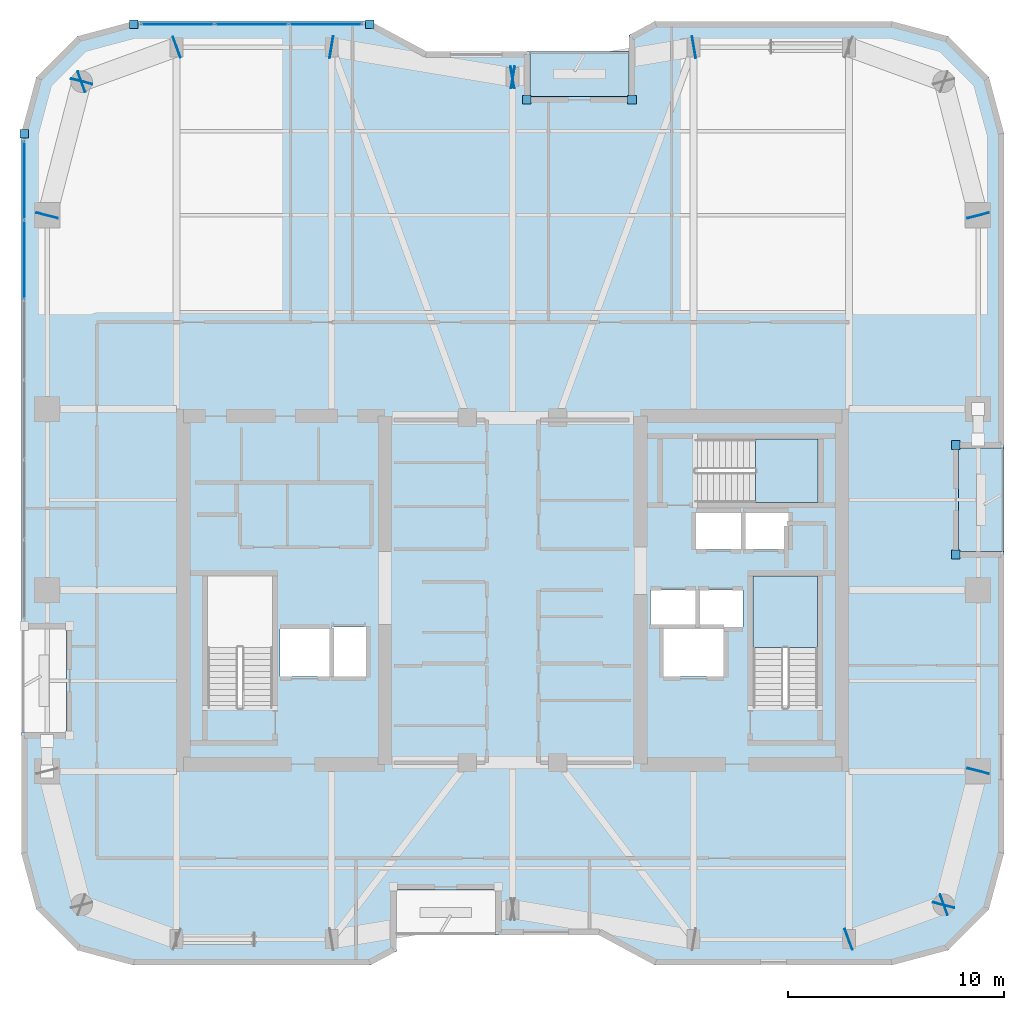
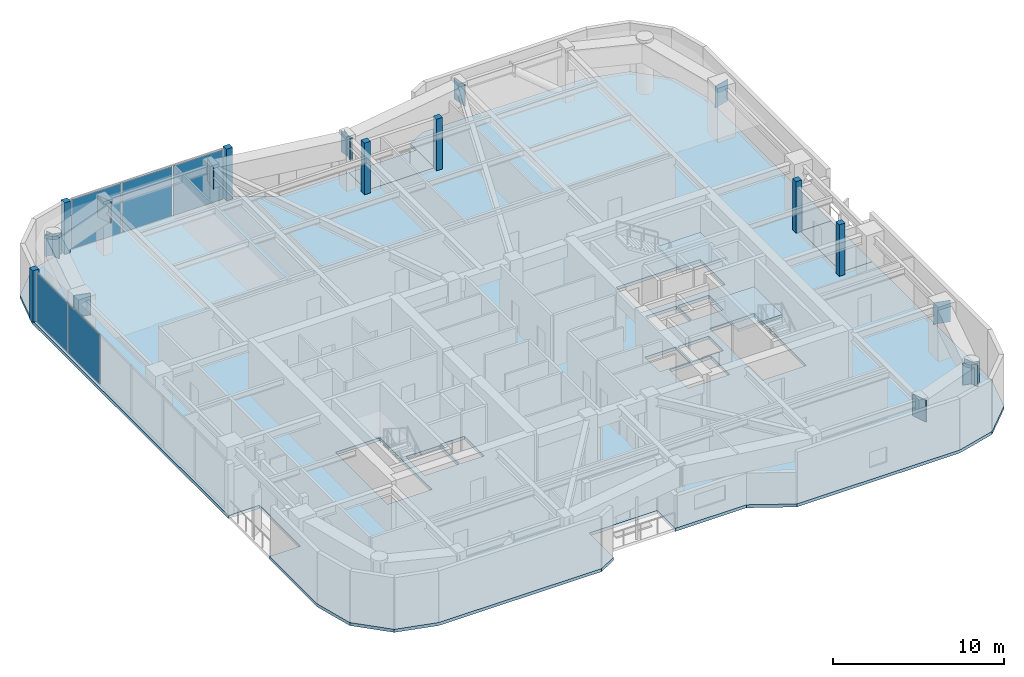
# One storey, part 13 of 21: 25 plates, 5 slabs, 4 elements without a shape of their own.
"""IFC4 building model written with IfcOpenShell, lengths in metres."""

import ifcopenshell
import ifcopenshell.guid

model = None  # the IFC model being written
_history = None  # IfcOwnerHistory: only IFC2X3 demands one
_inside = {}  # id of a spatial element -> (the spatial element, [elements in it])
_under = {}  # id of a project, library or spatial element -> (it, [spatial elements below it])
_declared = {}  # id of a project -> (the project, [libraries it declares])
_typed = {}  # id of a type object -> (the type object, [elements of that type])
_made_of = {}  # id of a material, layer set ... -> (it, [elements and type objects made of it])


def new_model(schema):
    """Start an empty IFC model of exactly this schema.

    Asked for "IFC4X3", IfcOpenShell would pick the latest addendum, in which some entities
    have other attributes; the version numbers below select the first issue.
    IFC2X3 requires an IfcOwnerHistory on every rooted entity: one is made here for all.
    """
    global model, _history
    if schema == "IFC4X3":
        model = ifcopenshell.file(schema_version=(4, 3, 0, 0))
    else:
        model = ifcopenshell.file(schema=schema)
    _inside.clear()
    _under.clear()
    _declared.clear()
    _typed.clear()
    _made_of.clear()
    _history = None
    if model.schema == "IFC2X3":
        org = make("IfcOrganization", Name="unknown")
        user = make(
            "IfcPersonAndOrganization",
            ThePerson=make("IfcPerson", FamilyName="unknown"),
            TheOrganization=org,
        )
        app = make(
            "IfcApplication",
            ApplicationDeveloper=org,
            Version="unknown",
            ApplicationFullName="unknown",
            ApplicationIdentifier="unknown",
        )
        _history = make(
            "IfcOwnerHistory",
            OwningUser=user,
            OwningApplication=app,
            ChangeAction="ADDED",
            CreationDate=0,
        )
    return model


def make(cls, **values):
    """One entity of the class cls with the attributes given. An attribute that is None is left unset."""
    return model.create_entity(
        cls, **{name: value for name, value in values.items() if value is not None}
    )


def rooted(cls, **values):
    """An entity with a GlobalId (a new one), such as an element, a storey or a relation."""
    return make(cls, GlobalId=ifcopenshell.guid.new(), OwnerHistory=_history, **values)


def si_unit(unit_type, name, prefix=None):
    """IfcSIUnit, for example si_unit("LENGTHUNIT", "METRE", prefix="MILLI")."""
    return make("IfcSIUnit", UnitType=unit_type, Prefix=prefix, Name=name)


def assignment(units):
    """IfcUnitAssignment: the units of a project."""
    return None if units is None else make("IfcUnitAssignment", Units=units)


def point(xyz):
    """IfcCartesianPoint."""
    return None if xyz is None else make("IfcCartesianPoint", Coordinates=xyz)


def direction(xyz):
    """IfcDirection."""
    return None if xyz is None else make("IfcDirection", DirectionRatios=xyz)


def frame(location, z_axis=None, x_axis=None):
    """IfcAxis2Placement3D, a coordinate frame: its origin and axes. An axis left out is left unset."""
    return make(
        "IfcAxis2Placement3D",
        Location=point(location),
        Axis=direction(z_axis),
        RefDirection=direction(x_axis),
    )


def frame_2d(location, x_axis=None):
    """IfcAxis2Placement2D, a coordinate frame in the plane: its origin and x axis."""
    return make(
        "IfcAxis2Placement2D", Location=point(location), RefDirection=direction(x_axis)
    )


def origin():
    """The frame at (0, 0, 0) with its axes left unset."""
    return frame((0.0, 0.0, 0.0))


def origin_2d():
    """The frame at (0, 0) in the plane with its x axis left unset."""
    return frame_2d((0.0, 0.0))


def place(relative_to, where):
    """IfcLocalPlacement: puts the frame where relative to a parent placement (None: the world)."""
    return make(
        "IfcLocalPlacement", PlacementRelTo=relative_to, RelativePlacement=where
    )


def context(
    kind, dimensions, precision=None, world=None, true_north=None, identifier=None
):
    """IfcGeometricRepresentationContext, for example the 3D "Model" context."""
    return make(
        "IfcGeometricRepresentationContext",
        ContextIdentifier=identifier,
        ContextType=kind,
        CoordinateSpaceDimension=dimensions,
        Precision=precision,
        WorldCoordinateSystem=world,
        TrueNorth=true_north,
    )


def subcontext(parent, identifier, kind, view, scale=None):
    """IfcGeometricRepresentationSubContext, for example "Body" below "Model"."""
    return make(
        "IfcGeometricRepresentationSubContext",
        ContextIdentifier=identifier,
        ContextType=kind,
        ParentContext=parent,
        TargetScale=scale,
        TargetView=view,
    )


def project(units=None, contexts=None):
    """IfcProject with its units and contexts."""
    return rooted(
        "IfcProject",
        Name="project",
        RepresentationContexts=contexts,
        UnitsInContext=assignment(units),
    )


def spatial(cls, under=None, at=None, **own):
    """A site, building, storey or space (cls), placed at a placement, below another one or the project."""
    s = rooted(cls, ObjectPlacement=at, **own)
    if under is not None:
        _under.setdefault(under.id(), (under, []))[1].append(s)
    return s


def polyline(points):
    """IfcPolyline through the points."""
    return make("IfcPolyline", Points=[point(p) for p in points])


def profile(cls, at=None, kind="AREA", **sizes):
    """A parametric profile (cls). Its sizes go by their IFC names, for example OverallWidth=200.0."""
    return make(cls, ProfileType=kind, Position=at, **sizes)


def rectangle(**sizes):
    """IfcRectangleProfileDef."""
    return profile("IfcRectangleProfileDef", **sizes)


def outline(outer, holes=None, kind="AREA"):
    """IfcArbitraryClosedProfileDef: a profile drawn as a closed curve; with holes, ...WithVoids."""
    if holes is None:
        return make("IfcArbitraryClosedProfileDef", ProfileType=kind, OuterCurve=outer)
    return make(
        "IfcArbitraryProfileDefWithVoids",
        ProfileType=kind,
        OuterCurve=outer,
        InnerCurves=holes,
    )


def extrude(swept, where, along, depth):
    """IfcExtrudedAreaSolid: the profile swept, set in the frame where, extruded along a direction by depth."""
    return make(
        "IfcExtrudedAreaSolid",
        SweptArea=swept,
        Position=where,
        ExtrudedDirection=direction(along),
        Depth=depth,
    )


def shape(context_of_items, identifier, shape_type, items):
    """IfcShapeRepresentation: the items that make up one representation, for example the "Body"."""
    return make(
        "IfcShapeRepresentation",
        ContextOfItems=context_of_items,
        RepresentationIdentifier=identifier,
        RepresentationType=shape_type,
        Items=items,
    )


def material(Name=None, Category=None):
    """IfcMaterial."""
    return make("IfcMaterial", Name=Name, Category=Category)


def layer(
    of_material, thickness, ventilated=None, Name=None, Category=None, Priority=None
):
    """IfcMaterialLayer: one layer of a wall or slab, of a material (None: an air gap)."""
    return make(
        "IfcMaterialLayer",
        Material=of_material,
        LayerThickness=thickness,
        IsVentilated=ventilated,
        Name=Name,
        Category=Category,
        Priority=Priority,
    )


def layer_set(layers, Name=None):
    """IfcMaterialLayerSet."""
    return make("IfcMaterialLayerSet", MaterialLayers=layers, LayerSetName=Name)


def made_of(thing, what):
    """Note that an element or type object is made of a material, layer set ...; save() writes the relation."""
    if what is not None:
        _made_of.setdefault(what.id(), (what, []))[1].append(thing)
    return thing


def type_object(cls, material=None, **own):
    """A type object (cls), such as IfcWallType, which elements share."""
    return made_of(rooted(cls, **own), material)


def element(
    cls,
    number,
    at=None,
    inside=None,
    cuts=None,
    type_object=None,
    material=None,
    context=None,
    identifier="Body",
    shape_type=None,
    held_by="IfcProductDefinitionShape",
    body=None,
    shapes=None,
    **own,
):
    """One element of the class cls, such as IfcWall. Its Tag is "e" and its number.

    at: its placement. inside: the storey or other place that contains it. cuts: it is an
    opening in that element (IfcRelVoidsElement). A single representation is given by context,
    identifier, shape_type and body (its items); several are given by shapes. held_by: the class
    of the entity that holds the representations. save() writes the other relations.
    """
    e = rooted(cls, Tag="e%d" % number, ObjectPlacement=at, **own)
    if body is not None:
        shapes = [shape(context, identifier, shape_type, body)]
    if shapes is not None:
        e.Representation = make(held_by, Representations=shapes)
    if inside is not None:
        _inside.setdefault(inside.id(), (inside, []))[1].append(e)
    if cuts is not None:
        rooted(
            "IfcRelVoidsElement", RelatingBuildingElement=cuts, RelatedOpeningElement=e
        )
    if type_object is not None:
        _typed.setdefault(type_object.id(), (type_object, []))[1].append(e)
    return made_of(e, material)


def aggregate(whole, parts):
    """IfcRelAggregates: a whole, such as a stair, and the parts it consists of."""
    return rooted("IfcRelAggregates", RelatingObject=whole, RelatedObjects=parts)


def save(model, path):
    """Write the relations noted so far, then the file.

    IfcRelAggregates (storeys below a building ...), IfcRelContainedInSpatialStructure (elements
    in a storey), IfcRelDefinesByType, IfcRelAssociatesMaterial and IfcRelDeclares: one each for
    every whole, place, type object, material and project.
    """
    for whole, parts in _under.values():
        aggregate(whole, parts)
    for where, things in _inside.values():
        rooted(
            "IfcRelContainedInSpatialStructure",
            RelatedElements=things,
            RelatingStructure=where,
        )
    for kind, things in _typed.values():
        rooted("IfcRelDefinesByType", RelatedObjects=things, RelatingType=kind)
    for what, things in _made_of.values():
        rooted("IfcRelAssociatesMaterial", RelatedObjects=things, RelatingMaterial=what)
    for by, libraries in _declared.values():
        rooted("IfcRelDeclares", RelatingContext=by, RelatedDefinitions=libraries)
    model.write(path)


model = new_model("IFC4")

# Units and contexts
model_context = context("Model", 3, precision=1e-05, world=origin(), true_north=direction((0.0, 1.0)))
body_context = subcontext(model_context, "Body", "Model", "MODEL_VIEW")
ifc_project = project(units=[si_unit("LENGTHUNIT", "METRE"), si_unit("AREAUNIT", "SQUARE_METRE"), si_unit("VOLUMEUNIT", "CUBIC_METRE"), si_unit("PLANEANGLEUNIT", "RADIAN"), si_unit("MASSUNIT", "GRAM", prefix="KILO")], contexts=[model_context])

# Site, building, storey
site_placement = place(None, origin())
site = spatial("IfcSite", under=ifc_project, at=site_placement, CompositionType="ELEMENT")
building_placement = place(site_placement, origin())
building = spatial("IfcBuilding", under=site, at=building_placement, Name="Kiyonajd Concourse Tower", CompositionType="ELEMENT")
storey_placement = place(building_placement, frame((0.0, 0.0, 227.10009765625)))
storey = spatial("IfcBuildingStorey", under=building, at=storey_placement, Name="L57", CompositionType="ELEMENT", Elevation=227.10009765625)

# Plates
ifc_material_1 = material(Name="Steel ASTM A572 Grade 50", Category="steel")
ifc_layer_1 = layer(ifc_material_1, 0.031982421875)
ifc_layer_set_1 = layer_set([ifc_layer_1], Name="Steel ASTM A572 Grade 50")
plate_type_1 = type_object("IfcPlateType", Name="PL-CAP-540", PredefinedType="USERDEFINED", material=ifc_layer_set_1)
for number, where, z_axis, x_axis, name in (
    (1, (63.589599609375, 19.796142578125, 2.2099609375), (0.0, 0.0, 1.0), (-0.939811951086, -0.341692107891, 0.0), "L57 Welded Box Girder End Cap"),
    (2, (68.01025390625, 21.40380859375, 2.2099609375), (0.0, 0.0, 1.0), (0.939811951086, 0.341692107891, 0.0), "L57 Welded Box Girder End Cap"),
    (3, (67.997314453125, 21.389404296875, 2.2099609375), (0.0, 0.0, 1.0), (-0.249873048837, -0.968278606324, 0.0), "L57 Welded Box Girder End Cap"),
    (4, (69.602783203125, 27.610595703125, 2.2099609375), (0.0, 0.0, 1.0), (0.249873048837, 0.968278606324, 0.0), "L57 Welded Box Girder End Cap"),
    (5, (69.602783203125, 53.389404296875, 2.2099609375), (0.0, 0.0, 1.0), (0.249873048837, -0.968278606324, 0.0), "L57 Welded Box Girder End Cap"),
    (6, (56.410888671875, 61.201904296875, 2.2099609375), (0.0, 0.0, 1.0), (0.986400586142, 0.164359008451, 0.0), "L57 Welded Box Girder End Cap"),
    (7, (47.989013671875, 59.798095703125, 2.2099609375), (0.0, 0.0, 1.0), (-0.986400586142, -0.164359008451, 0.0), "L57 Welded Box Girder End Cap"),
    (8, (48.010986328125, 59.798095703125, 2.2099609375), (0.0, 0.0, 1.0), (0.986400586142, -0.164359008451, 0.0), "L57 Welded Box Girder End Cap"),
    (9, (39.589111328125, 61.201904296875, 2.2099609375), (0.0, 0.0, 1.0), (-0.986400586142, 0.164359008451, 0.0), "L57 Welded Box Girder End Cap"),
    (10, (32.410400390625, 61.203857421875, 2.2099609375), (0.0, 0.0, 1.0), (0.939811951086, 0.341692107891, 0.0), "L57 Welded Box Girder End Cap"),
    (11, (27.98974609375, 59.59619140625, 2.2099609375), (0.0, 0.0, 1.0), (-0.939811951086, -0.341692107891, 0.0), "L57 Welded Box Girder End Cap"),
    (12, (28.002685546875, 59.610595703125, 2.2099609375), (0.0, 0.0, 1.0), (0.249873048837, 0.968278606324, 0.0), "L57 Welded Box Girder End Cap"),
    (13, (26.397216796875, 53.389404296875, 2.2099609375), (0.0, 0.0, 1.0), (-0.249873048837, -0.968278606324, 0.0), "L57 Welded Box Girder End Cap"),
):
    element("IfcPlate", number, at=place(storey_placement, frame(where, z_axis=z_axis, x_axis=x_axis)), inside=storey, type_object=plate_type_1, Name=name, ObjectType="CAP PLATE", PredefinedType="USERDEFINED", context=body_context, shape_type="SweptSolid", body=[
        extrude(rectangle(XDim=0.035888671875, YDim=1.02001953125, at=origin_2d()), origin(), (0.0, 0.0, 1.0), 1.5400390625),
    ])

# Curtain wall, plates
ifc_material_2 = material(Name="Thermally Broken Anodised Aluminium", Category="aluminium")
ifc_layer_2 = layer(ifc_material_2, 0.179931640625)
ifc_layer_set_2 = layer_set([ifc_layer_2], Name="Thermally Broken Anodised Aluminium")
curtain_wall_type = type_object("IfcCurtainWallType", Name="CW-SYS-04", PredefinedType="NOTDEFINED", material=ifc_layer_set_2)
curtain_wall_1_placement = place(storey_placement, origin())
curtain_wall_1 = element("IfcCurtainWall", 14, at=curtain_wall_1_placement, inside=storey, type_object=curtain_wall_type, Name="L57 Unitised Curtain Wall CW4", PredefinedType="NOTDEFINED")
ifc_material_3 = material(Name="Double Low-E Insulated Glass", Category="glass")
ifc_layer_3 = layer(ifc_material_3, 0.033935546875)
ifc_layer_set_3 = layer_set([ifc_layer_3], Name="Double Low-E Insulated Glass")
plate_type_2 = type_object("IfcPlateType", Name="PL-CW-VIS34", PredefinedType="CURTAIN_PANEL", material=ifc_layer_set_3)
plate_1_placement = place(storey_placement, frame((25.340087890625, 51.326171875, 0.06494140625), z_axis=(0.0, 0.0, 1.0), x_axis=(0.0, 1.0, 0.0)))
plate_1 = element("IfcPlate", 15, at=plate_1_placement, type_object=plate_type_2, Name="CW4 panel 5.1", PredefinedType="CURTAIN_PANEL", context=body_context, shape_type="SweptSolid", body=[
    extrude(rectangle(XDim=3.645263671875, YDim=0.033935546875, at=origin_2d()), origin(), (0.0, 0.0, 1.0), 3.550048828125),
])
plate_2_placement = place(storey_placement, frame((25.340087890625, 55.020263671875, 0.06494140625), z_axis=(0.0, 0.0, 1.0), x_axis=(0.0, 1.0, 0.0)))
plate_2 = element("IfcPlate", 16, at=plate_2_placement, type_object=plate_type_2, Name="CW4 panel 6.1", PredefinedType="CURTAIN_PANEL", context=body_context, shape_type="SweptSolid", body=[
    extrude(rectangle(XDim=3.61279296875, YDim=0.033935546875, at=origin_2d()), origin(), (0.0, 0.0, 1.0), 3.550048828125),
])
aggregate(curtain_wall_1, [plate_1, plate_2])

curtain_wall_2_placement = place(storey_placement, origin())
curtain_wall_2 = element("IfcCurtainWall", 17, at=curtain_wall_2_placement, inside=storey, type_object=curtain_wall_type, Name="L57 Unitised Curtain Wall CW4", PredefinedType="NOTDEFINED")
plate_3_placement = place(storey_placement, frame((32.452392578125, 62.260009765625, 0.06494140625), z_axis=(0.0, 0.0, 1.0), x_axis=(1.0, 0.0, 0.0)))
plate_3 = element("IfcPlate", 18, at=plate_3_placement, type_object=plate_type_2, Name="CW4 panel 1.1", PredefinedType="CURTAIN_PANEL", context=body_context, shape_type="SweptSolid", body=[
    extrude(rectangle(XDim=3.35791015625, YDim=0.033935546875, at=origin_2d()), origin(), (0.0, 0.0, 1.0), 3.550048828125),
])
plate_4_placement = place(storey_placement, frame((35.8916015625, 62.260009765625, 0.06494140625), z_axis=(0.0, 0.0, 1.0), x_axis=(1.0, 0.0, 0.0)))
plate_4 = element("IfcPlate", 19, at=plate_4_placement, type_object=plate_type_2, Name="CW4 panel 2.1", PredefinedType="CURTAIN_PANEL", context=body_context, shape_type="SweptSolid", body=[
    extrude(rectangle(XDim=3.390380859375, YDim=0.033935546875, at=origin_2d()), origin(), (0.0, 0.0, 1.0), 3.550048828125),
])
plate_5_placement = place(storey_placement, frame((39.330810546875, 62.260009765625, 0.06494140625), z_axis=(0.0, 0.0, 1.0), x_axis=(1.0, 0.0, 0.0)))
plate_5 = element("IfcPlate", 20, at=plate_5_placement, type_object=plate_type_2, Name="CW4 panel 3.1", PredefinedType="CURTAIN_PANEL", context=body_context, shape_type="SweptSolid", body=[
    extrude(rectangle(XDim=3.35791015625, YDim=0.033935546875, at=origin_2d()), origin(), (0.0, 0.0, 1.0), 3.550048828125),
])
aggregate(curtain_wall_2, [plate_3, plate_4, plate_5])

# Plates
ifc_layer_4 = layer(ifc_material_2, 0.39990234375)
ifc_layer_set_4 = layer_set([ifc_layer_4], Name="Thermally Broken Anodised Aluminium")
plate_type_3 = type_object("IfcPlateType", Name="PL-JMB-400", PredefinedType="USERDEFINED", material=ifc_layer_set_4)
for number, where, z_axis, x_axis, name in (
    (21, (25.340087890625, 57.181640625, 0.0), (0.0, 0.0, 1.0), (1.0, 0.0, 0.0), "L57 Facade Jamb Closure Plate 04"),
    (22, (30.41845703125, 62.260009765625, 0.0), (0.0, 0.0, 1.0), (1.0, 0.0, 0.0), "L57 Facade Jamb Closure Plate 05"),
    (23, (41.36474609375, 62.260009765625, 0.0), (0.0, 0.0, 1.0), (1.0, 0.0, 0.0), "L57 Facade Jamb Closure Plate 06"),
    (24, (48.659912109375, 58.760009765625, 0.0), (0.0, 0.0, 1.0), (1.0, 0.0, 0.0), "L57 Facade Jamb Closure Plate 07"),
    (25, (53.5400390625, 58.760009765625, 0.0), (0.0, 0.0, 1.0), (1.0, 0.0, 0.0), "L57 Facade Jamb Closure Plate 08"),
    (26, (68.56005859375, 42.739990234375, 0.0), (0.0, 0.0, 1.0), (1.0, 0.0, 0.0), "L57 Facade Jamb Closure Plate 09"),
    (27, (68.56005859375, 37.659912109375, 0.0), (0.0, 0.0, 1.0), (1.0, 0.0, 0.0), "L57 Facade Jamb Closure Plate 10"),
):
    element("IfcPlate", number, at=place(storey_placement, frame(where, z_axis=z_axis, x_axis=x_axis)), inside=storey, type_object=plate_type_3, Name=name, ObjectType="JAMB PLATE", PredefinedType="USERDEFINED", context=body_context, shape_type="SweptSolid", body=[
        extrude(rectangle(XDim=0.39990234375, YDim=0.39990234375, at=origin_2d()), origin(), (0.0, 0.0, 1.0), 3.679931640625),
    ])

# Stair, slab
ifc_material_4 = material(Name="Concrete C40/50", Category="concrete")
stair_type = type_object("IfcStairType", Name="ST-DLG-22R", PredefinedType="HALF_TURN_STAIR", material=ifc_material_4)
stair_1_placement = place(storey_placement, origin())
stair_1 = element("IfcStair", 28, at=stair_1_placement, inside=storey, type_object=stair_type, Name="L57 Protected Exit Stair ST2", PredefinedType="HALF_TURN_STAIR")
ifc_layer_5 = layer(ifc_material_4, 0.199951171875)
ifc_layer_set_5 = layer_set([ifc_layer_5], Name="Concrete C40/50")
slab_type_1 = type_object("IfcSlabType", Name="SL-LND-200", PredefinedType="LANDING", material=ifc_layer_set_5)
slab_1_placement = place(storey_placement, frame((0.0, 0.0, 1.75)))
slab_1 = element("IfcSlab", 29, at=slab_1_placement, type_object=slab_type_1, Name="ST2 landing 1", PredefinedType="LANDING", context=body_context, shape_type="SweptSolid", body=[
    extrude(outline(polyline([(62.14990234375, 33.35009765625), (62.14990234375, 36.64990234375), (59.14990234375, 36.64990234375), (59.14990234375, 33.35009765625), (62.14990234375, 33.35009765625)])), origin(), (0.0, 0.0, 1.0), 0.199951171875),
])
aggregate(stair_1, [slab_1])

stair_2_placement = place(storey_placement, origin())
stair_2 = element("IfcStair", 30, at=stair_2_placement, inside=storey, type_object=stair_type, Name="L57 Protected Exit Stair ST3", PredefinedType="HALF_TURN_STAIR")
slab_2_placement = place(storey_placement, frame((0.0, 0.0, 1.75)))
slab_2 = element("IfcSlab", 31, at=slab_2_placement, type_object=slab_type_1, Name="ST3 landing 1", PredefinedType="LANDING", context=body_context, shape_type="SweptSolid", body=[
    extrude(outline(polyline([(59.280029296875, 40.080078125), (62.179931640625, 40.080078125), (62.179931640625, 43.02001953125), (59.280029296875, 43.02001953125), (59.280029296875, 40.080078125)])), origin(), (0.0, 0.0, 1.0), 0.199951171875),
])
aggregate(stair_2, [slab_2])

# Slabs
ifc_material_5 = material(Name="Precast concrete C50/60", Category="concrete")
ifc_layer_6 = layer(ifc_material_5, 0.199951171875)
ifc_layer_set_6 = layer_set([ifc_layer_6], Name="Precast concrete C50/60")
slab_type_2 = type_object("IfcSlabType", Name="SL-LOG-200", PredefinedType="FLOOR", material=ifc_layer_set_6)
slab_3_placement = place(storey_placement, frame((0.0, 0.0, -0.2001953125)))
element("IfcSlab", 32, at=slab_3_placement, inside=storey, type_object=slab_type_2, Name="L57 Recessed Engawa Loggia Terrace Slab LOG-N", PredefinedType="FLOOR", context=body_context, shape_type="SweptSolid", body=[
    extrude(outline(polyline([(48.800048828125, 58.89990234375), (53.39990234375, 58.89990234375), (53.39990234375, 61.0), (48.800048828125, 61.0), (48.800048828125, 58.89990234375)])), origin(), (0.0, 0.0, 1.0), 0.2001953125),
])
slab_4_placement = place(storey_placement, frame((0.0, 0.0, -0.2001953125)))
element("IfcSlab", 33, at=slab_4_placement, inside=storey, type_object=slab_type_2, Name="L57 Recessed Engawa Loggia Terrace Slab LOG-E", PredefinedType="FLOOR", context=body_context, shape_type="SweptSolid", body=[
    extrude(outline(polyline([(68.699951171875, 37.800048828125), (70.800048828125, 37.800048828125), (70.800048828125, 42.60009765625), (68.699951171875, 42.60009765625), (68.699951171875, 37.800048828125)])), origin(), (0.0, 0.0, 1.0), 0.2001953125),
])
ifc_layer_7 = layer(ifc_material_4, 0.219970703125)
ifc_layer_set_7 = layer_set([ifc_layer_7], Name="Concrete C40/50")
slab_type_3 = type_object("IfcSlabType", Name="SL-TWR-220", PredefinedType="FLOOR", material=ifc_layer_set_7)
slab_5_placement = place(storey_placement, frame((0.0, 0.0, -0.22021484375)))
element("IfcSlab", 34, at=slab_5_placement, inside=storey, type_object=slab_type_3, Name="L57 Tower Conditioned Floor Slab", PredefinedType="FLOOR", context=body_context, shape_type="SweptSolid", body=[
    extrude(outline(polyline([(25.89697265625, 21.199951171875), (25.199951171875, 23.800048828125), (25.199951171875, 29.39990234375), (27.300048828125, 29.39990234375), (27.300048828125, 34.199951171875), (25.199951171875, 34.199951171875), (25.199951171875, 57.199951171875), (25.89697265625, 59.800048828125), (27.800048828125, 61.702880859375), (30.39990234375, 62.39990234375), (41.39990234375, 62.39990234375), (44.0, 61.0), (48.800048828125, 61.0), (48.800048828125, 58.89990234375), (53.39990234375, 58.89990234375), (53.39990234375, 61.75390625), (54.60009765625, 62.39990234375), (65.60009765625, 62.39990234375), (68.199951171875, 61.702880859375), (70.10302734375, 59.800048828125), (70.800048828125, 57.199951171875), (70.800048828125, 42.60009765625), (68.699951171875, 42.60009765625), (68.699951171875, 37.800048828125), (70.800048828125, 37.800048828125), (70.800048828125, 23.800048828125), (70.10302734375, 21.199951171875), (68.199951171875, 19.297119140625), (65.60009765625, 18.60009765625), (54.60009765625, 18.60009765625), (52.0, 20.0), (47.199951171875, 20.0), (47.199951171875, 22.10009765625), (42.60009765625, 22.10009765625), (42.60009765625, 19.24609375), (41.39990234375, 18.60009765625), (30.39990234375, 18.60009765625), (27.800048828125, 19.297119140625), (25.89697265625, 21.199951171875)]), holes=[polyline([(39.5, 32.0), (37.199951171875, 32.0), (37.199951171875, 34.199951171875), (39.5, 34.199951171875), (39.5, 32.0)]), polyline([(57.800048828125, 32.0), (55.0, 32.0), (55.0, 34.199951171875), (57.800048828125, 34.199951171875), (57.800048828125, 32.0)]), polyline([(41.199951171875, 32.0), (39.60009765625, 32.0), (39.60009765625, 34.300048828125), (41.199951171875, 34.300048828125), (41.199951171875, 32.0)]), polyline([(33.85009765625, 30.550048828125), (33.85009765625, 36.64990234375), (36.85009765625, 36.64990234375), (36.85009765625, 30.550048828125), (33.85009765625, 30.550048828125)]), polyline([(59.14990234375, 30.550048828125), (59.14990234375, 36.64990234375), (62.14990234375, 36.64990234375), (62.14990234375, 30.550048828125), (59.14990234375, 30.550048828125)]), polyline([(56.5, 34.300048828125), (54.39990234375, 34.300048828125), (54.39990234375, 36.0), (56.5, 36.0), (56.5, 34.300048828125)]), polyline([(58.699951171875, 34.300048828125), (56.60009765625, 34.300048828125), (56.60009765625, 36.0), (58.699951171875, 36.0), (58.699951171875, 34.300048828125)]), polyline([(58.60009765625, 37.89990234375), (56.5, 37.89990234375), (56.5, 39.60009765625), (58.60009765625, 39.60009765625), (58.60009765625, 37.89990234375)]), polyline([(58.699951171875, 37.89990234375), (58.699951171875, 39.60009765625), (60.800048828125, 39.60009765625), (60.800048828125, 37.89990234375), (58.699951171875, 37.89990234375)]), polyline([(56.47998046875, 43.02001953125), (62.179931640625, 43.02001953125), (62.179931640625, 40.080078125), (56.47998046875, 40.080078125), (56.47998046875, 43.02001953125)])]), origin(), (0.0, 0.0, 1.0), 0.22021484375),
])

save(model, "model.ifc")
